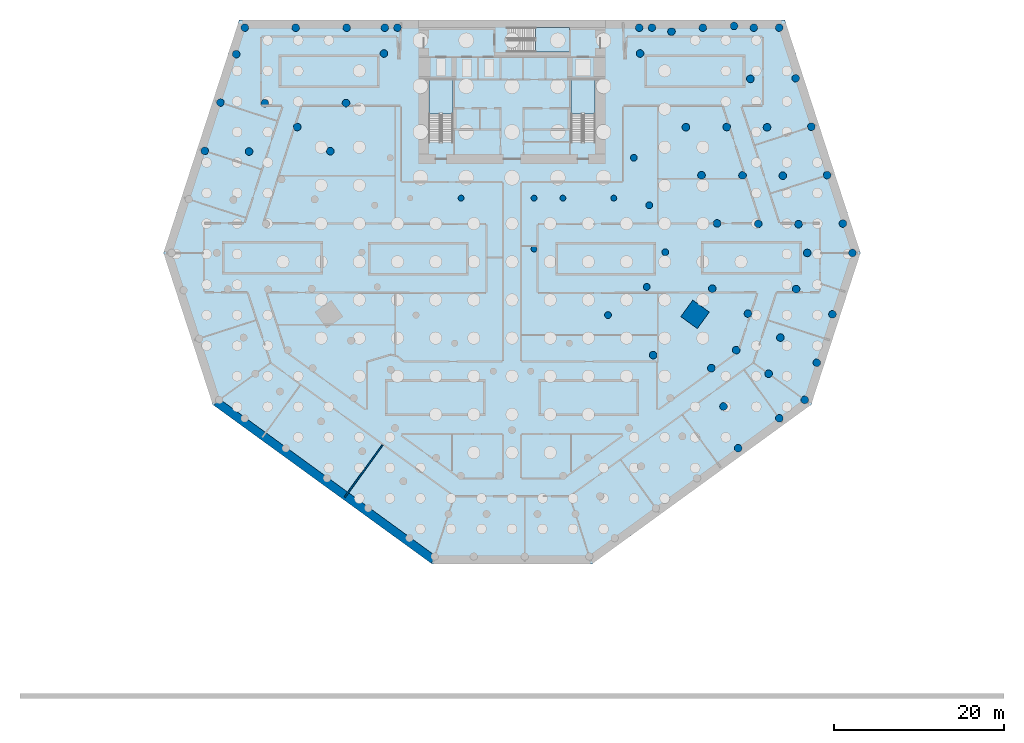
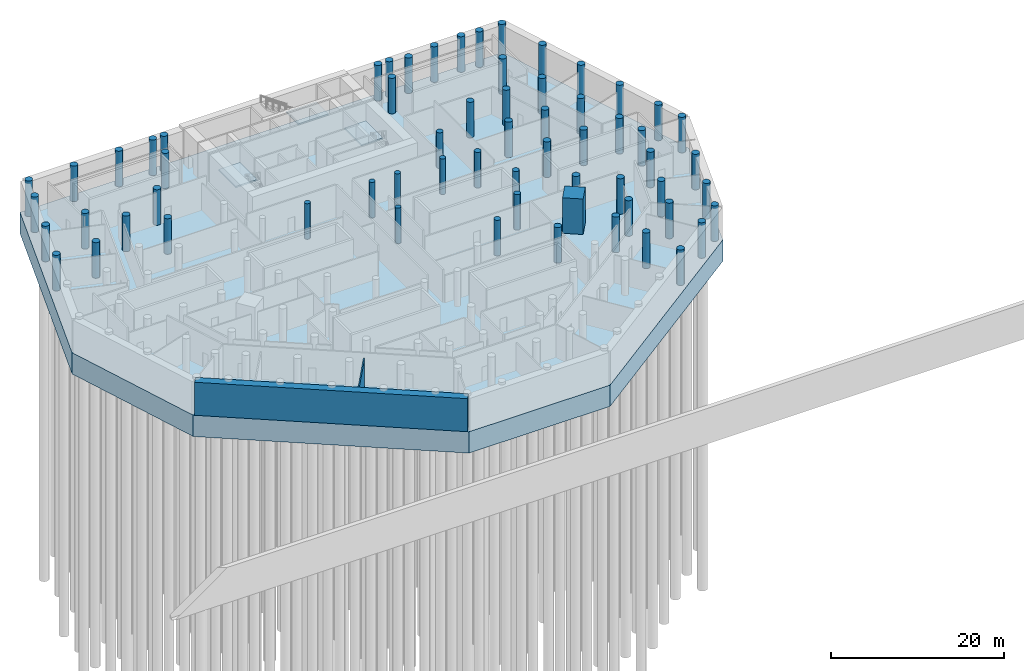
# One storey, part 2 of 12: 63 columns, 4 slabs, 2 walls, 3 elements without a shape of their own.
"""IFC4 building model written with IfcOpenShell, lengths in metres."""

from ifc_helpers import new_model, si_unit, direction, frame, frame_2d, origin, origin_2d, place, context, subcontext, project, spatial, polyline, rectangle, circle, outline, extrude, material, layer, layer_set, material_profile, profile_set, type_object, element, aggregate, save


model = new_model("IFC4")

# Units and contexts
model_context = context("Model", 3, precision=1e-05, world=origin(), true_north=direction((0.0, 1.0)))
body_context = subcontext(model_context, "Body", "Model", "MODEL_VIEW")
ifc_project = project(units=[si_unit("LENGTHUNIT", "METRE"), si_unit("AREAUNIT", "SQUARE_METRE"), si_unit("VOLUMEUNIT", "CUBIC_METRE"), si_unit("PLANEANGLEUNIT", "RADIAN"), si_unit("MASSUNIT", "GRAM", prefix="KILO")], contexts=[model_context])

# Site, building, storey
site_placement = place(None, origin())
site = spatial("IfcSite", under=ifc_project, at=site_placement, CompositionType="ELEMENT")
building_placement = place(site_placement, origin())
building = spatial("IfcBuilding", under=site, at=building_placement, Name="White Candle Pilgrim Tower", CompositionType="ELEMENT")
storey_placement = place(building_placement, frame((0.0, 0.0, -10.0)))
storey = spatial("IfcBuildingStorey", under=building, at=storey_placement, Name="B2", CompositionType="ELEMENT", Elevation=-10.0)

# Columns
ifc_material_1 = material(Name="Concrete C80/95", Category="concrete")
ifc_material_profile_1 = material_profile(ifc_material_1, circle(Radius=0.35009765625, at=origin_2d()), Name="RC-COL D700")
ifc_profile_set_1 = profile_set([ifc_material_profile_1], Name="Concrete C80/95")
column_type_1 = type_object("IfcColumnType", Name="Interior column RC-COL D700 C80/95", PredefinedType="COLUMN", material=ifc_profile_set_1)
for number, where, z_axis, x_axis, name in (
    (1, (64.0, 67.0, 0.0), (0.0, 0.0, 1.0), (1.0, 0.0, 0.0), "B2 column I02"),
    (2, (72.60009765625, 61.0, 0.0), (0.0, 0.0, 1.0), (1.0, 0.0, 0.0), "B2 column I03"),
    (3, (72.60009765625, 67.0, 0.0), (0.0, 0.0, 1.0), (1.0, 0.0, 0.0), "B2 column I04"),
    (4, (76.0, 67.0, 0.0), (0.0, 0.0, 1.0), (1.0, 0.0, 0.0), "B2 column I05"),
    (5, (82.0, 67.0, 0.0), (0.0, 0.0, 1.0), (1.0, 0.0, 0.0), "B2 column I06"),
):
    element("IfcColumn", number, at=place(storey_placement, frame(where, z_axis=z_axis, x_axis=x_axis)), inside=storey, type_object=column_type_1, Name=name, PredefinedType="COLUMN", context=body_context, shape_type="SweptSolid", body=[
        extrude(circle(Radius=0.35009765625, at=origin_2d()), origin(), (0.0, 0.0, 1.0), 5.0),
    ])
ifc_material_profile_2 = material_profile(ifc_material_1, rectangle(XDim=2.39990234375, YDim=2.39990234375, at=origin_2d()), Name="RC 2400x2400")
ifc_profile_set_2 = profile_set([ifc_material_profile_2], Name="Concrete C80/95")
column_type_2 = type_object("IfcColumnType", Name="Mega column RC 2400x2400 C80/95", PredefinedType="COLUMN", material=ifc_profile_set_2)
column_placement = place(storey_placement, frame((91.580078125, 53.300048828125, 0.0), z_axis=(0.0, 0.0, 1.0), x_axis=(0.809016994375, -0.587785252292, 0.0)))
element("IfcColumn", 6, at=column_placement, inside=storey, type_object=column_type_2, Name="B2 mega column T07", PredefinedType="COLUMN", context=body_context, shape_type="SweptSolid", body=[
    extrude(rectangle(XDim=2.39990234375, YDim=2.39990234375, at=origin_2d()), origin(), (0.0, 0.0, 1.0), 5.0),
])
ifc_material_profile_3 = material_profile(ifc_material_1, circle(Radius=0.449951171875, at=origin_2d()), Name="RC-COL D900")
ifc_profile_set_3 = profile_set([ifc_material_profile_3], Name="Concrete C80/95")
column_type_3 = type_object("IfcColumnType", Name="Perimeter column RC-COL D900 C80/95", PredefinedType="COLUMN", material=ifc_profile_set_3)
for number, where, z_axis, x_axis, name in (
    (7, (86.639892578125, 48.489990234375, 0.0), (0.0, 0.0, 1.0), (1.0, 0.0, 0.0), "B2 column T06"),
    (8, (93.610107421875, 56.330078125, 0.0), (0.0, 0.0, 1.0), (1.0, 0.0, 0.0), "B2 column T08"),
    (9, (94.179931640625, 64.02001953125, 0.0), (0.0, 0.0, 1.0), (1.0, 0.0, 0.0), "B2 column T09"),
    (10, (92.340087890625, 69.68994140625, 0.0), (0.0, 0.0, 1.0), (1.0, 0.0, 0.0), "B2 column T10"),
    (11, (90.5, 75.360107421875, 0.0), (0.0, 0.0, 1.0), (1.0, 0.0, 0.0), "B2 column T11"),
    (12, (85.10009765625, 84.050048828125, 0.0), (0.0, 0.0, 1.0), (1.0, 0.0, 0.0), "B2 column T12"),
    (13, (54.89990234375, 84.050048828125, 0.0), (0.0, 0.0, 1.0), (1.0, 0.0, 0.0), "B2 column T13"),
    (14, (50.429931640625, 78.199951171875, 0.0), (0.0, 0.0, 1.0), (1.0, 0.0, 0.0), "B2 column T14"),
    (15, (48.580078125, 72.530029296875, 0.0), (0.0, 0.0, 1.0), (1.0, 0.0, 0.0), "B2 column T15"),
    (16, (96.660888671875, 37.511962890625, 0.0), (0.0, 0.0, 1.0), (1.0, 0.0, 0.0), "B2 column A17"),
    (17, (101.514892578125, 41.0390625, 0.0), (0.0, 0.0, 1.0), (1.0, 0.0, 0.0), "B2 column A18"),
    (18, (104.5029296875, 43.2099609375, 0.0), (0.0, 0.0, 1.0), (1.0, 0.0, 0.0), "B2 column A19"),
    (19, (105.927978515625, 47.594970703125, 0.0), (0.0, 0.0, 1.0), (1.0, 0.0, 0.0), "B2 column A20"),
    (20, (107.781982421875, 53.301025390625, 0.0), (0.0, 0.0, 1.0), (1.0, 0.0, 0.0), "B2 column A21"),
    (21, (110.134033203125, 60.5390625, 0.0), (0.0, 0.0, 1.0), (1.0, 0.0, 0.0), "B2 column A22"),
    (22, (109.008056640625, 64.0048828125, 0.0), (0.0, 0.0, 1.0), (1.0, 0.0, 0.0), "B2 column A23"),
    (23, (107.153076171875, 69.7119140625, 0.0), (0.0, 0.0, 1.0), (1.0, 0.0, 0.0), "B2 column A24"),
    (24, (105.299072265625, 75.41796875, 0.0), (0.0, 0.0, 1.0), (1.0, 0.0, 0.0), "B2 column A25"),
    (25, (103.445068359375, 81.1240234375, 0.0), (0.0, 0.0, 1.0), (1.0, 0.0, 0.0), "B2 column A26"),
    (26, (101.50390625, 87.10009765625, 0.0), (0.0, 0.0, 1.0), (1.0, 0.0, 0.0), "B2 column A27"),
    (27, (98.5, 87.10009765625, 0.0), (0.0, 0.0, 1.0), (1.0, 0.0, 0.0), "B2 column A28"),
    (28, (92.5, 87.10009765625, 0.0), (0.0, 0.0, 1.0), (1.0, 0.0, 0.0), "B2 column A29"),
    (29, (86.5, 87.10009765625, 0.0), (0.0, 0.0, 1.0), (1.0, 0.0, 0.0), "B2 column A30"),
    (30, (56.5, 87.10009765625, 0.0), (0.0, 0.0, 1.0), (1.0, 0.0, 0.0), "B2 column A31"),
    (31, (50.5, 87.10009765625, 0.0), (0.0, 0.0, 1.0), (1.0, 0.0, 0.0), "B2 column A32"),
    (32, (44.5, 87.10009765625, 0.0), (0.0, 0.0, 1.0), (1.0, 0.0, 0.0), "B2 column A33"),
    (33, (38.49609375, 87.10009765625, 0.0), (0.0, 0.0, 1.0), (1.0, 0.0, 0.0), "B2 column A34"),
    (34, (37.48193359375, 83.97802734375, 0.0), (0.0, 0.0, 1.0), (1.0, 0.0, 0.0), "B2 column A35"),
    (35, (35.6279296875, 78.27099609375, 0.0), (0.0, 0.0, 1.0), (1.0, 0.0, 0.0), "B2 column A36"),
    (36, (33.77392578125, 72.56494140625, 0.0), (0.0, 0.0, 1.0), (1.0, 0.0, 0.0), "B2 column A37"),
    (37, (94.93603515625, 42.43896484375, 0.0), (0.0, 0.0, 1.0), (1.0, 0.0, 0.0), "B2 column B16"),
    (38, (100.25, 46.300048828125, 0.0), (0.0, 0.0, 1.0), (1.0, 0.0, 0.0), "B2 column B17"),
    (39, (101.635986328125, 50.56591796875, 0.0), (0.0, 0.0, 1.0), (1.0, 0.0, 0.0), "B2 column B18"),
    (40, (103.489990234375, 56.27294921875, 0.0), (0.0, 0.0, 1.0), (1.0, 0.0, 0.0), "B2 column B19"),
    (41, (104.800048828125, 60.5390625, 0.0), (0.0, 0.0, 1.0), (1.0, 0.0, 0.0), "B2 column B20"),
    (42, (103.77392578125, 63.93310546875, 0.0), (0.0, 0.0, 1.0), (1.0, 0.0, 0.0), "B2 column B21"),
    (43, (101.9189453125, 69.639892578125, 0.0), (0.0, 0.0, 1.0), (1.0, 0.0, 0.0), "B2 column B22"),
    (44, (100.06494140625, 75.345947265625, 0.0), (0.0, 0.0, 1.0), (1.0, 0.0, 0.0), "B2 column B23"),
    (45, (98.10107421875, 81.052001953125, 0.0), (0.0, 0.0, 1.0), (1.0, 0.0, 0.0), "B2 column B24"),
    (46, (96.180908203125, 87.300048828125, 0.0), (0.0, 0.0, 1.0), (1.0, 0.0, 0.0), "B2 column B25"),
    (47, (40.862060546875, 78.198974609375, 0.0), (0.0, 0.0, 1.0), (1.0, 0.0, 0.0), "B2 column B33"),
    (48, (39.008056640625, 72.492919921875, 0.0), (0.0, 0.0, 1.0), (1.0, 0.0, 0.0), "B2 column B34"),
    (49, (93.50390625, 46.9609375, 0.0), (0.0, 0.0, 1.0), (1.0, 0.0, 0.0), "B2 column C13"),
    (50, (96.422119140625, 49.0810546875, 0.0), (0.0, 0.0, 1.0), (1.0, 0.0, 0.0), "B2 column C14"),
    (51, (97.820068359375, 53.384033203125, 0.0), (0.0, 0.0, 1.0), (1.0, 0.0, 0.0), "B2 column C15"),
    (52, (99.030029296875, 63.968994140625, 0.0), (0.0, 0.0, 1.0), (1.0, 0.0, 0.0), "B2 column C16"),
    (53, (97.176025390625, 69.676025390625, 0.0), (0.0, 0.0, 1.0), (1.0, 0.0, 0.0), "B2 column C17"),
    (54, (95.322021484375, 75.382080078125, 0.0), (0.0, 0.0, 1.0), (1.0, 0.0, 0.0), "B2 column C18"),
    (55, (88.800048828125, 86.631103515625, 0.0), (0.0, 0.0, 1.0), (1.0, 0.0, 0.0), "B2 column C19"),
    (56, (85.0, 87.10009765625, 0.0), (0.0, 0.0, 1.0), (1.0, 0.0, 0.0), "B2 column C20"),
    (57, (55.0, 87.10009765625, 0.0), (0.0, 0.0, 1.0), (1.0, 0.0, 0.0), "B2 column C21"),
    (58, (44.677978515625, 75.382080078125, 0.0), (0.0, 0.0, 1.0), (1.0, 0.0, 0.0), "B2 column C23"),
):
    element("IfcColumn", number, at=place(storey_placement, frame(where, z_axis=z_axis, x_axis=x_axis)), inside=storey, type_object=column_type_3, Name=name, PredefinedType="COLUMN", context=body_context, shape_type="SweptSolid", body=[
        extrude(circle(Radius=0.449951171875, at=origin_2d()), origin(), (0.0, 0.0, 1.0), 5.0),
    ])
ifc_material_profile_4 = material_profile(ifc_material_1, circle(Radius=0.39990234375, at=origin_2d()), Name="RC-COL D800")
ifc_profile_set_4 = profile_set([ifc_material_profile_4], Name="Concrete C80/95")
column_type_4 = type_object("IfcColumnType", Name="Ring column RC-COL D800 C80/95", PredefinedType="COLUMN", material=ifc_profile_set_4)
for number, where, z_axis, x_axis, name in (
    (59, (81.320068359375, 53.2099609375, 0.0), (0.0, 0.0, 1.0), (1.0, 0.0, 0.0), "B2 column R08"),
    (60, (85.8798828125, 56.530029296875, 0.0), (0.0, 0.0, 1.0), (1.0, 0.0, 0.0), "B2 column R09"),
    (61, (88.070068359375, 60.6298828125, 0.0), (0.0, 0.0, 1.0), (1.0, 0.0, 0.0), "B2 column R10"),
    (62, (86.179931640625, 66.159912109375, 0.0), (0.0, 0.0, 1.0), (1.0, 0.0, 0.0), "B2 column R11"),
    (63, (84.360107421875, 71.760009765625, 0.0), (0.0, 0.0, 1.0), (1.0, 0.0, 0.0), "B2 column R12"),
):
    element("IfcColumn", number, at=place(storey_placement, frame(where, z_axis=z_axis, x_axis=x_axis)), inside=storey, type_object=column_type_4, Name=name, PredefinedType="COLUMN", context=body_context, shape_type="SweptSolid", body=[
        extrude(circle(Radius=0.39990234375, at=origin_2d()), origin(), (0.0, 0.0, 1.0), 5.0),
    ])

# Slab
ifc_material_2 = material(Name="Concrete C50/60", Category="concrete")
ifc_layer_1 = layer(ifc_material_2, 3.0)
ifc_layer_set_1 = layer_set([ifc_layer_1], Name="Raft slab 3000")
slab_type_1 = type_object("IfcSlabType", Name="Raft slab 3000", PredefinedType="BASESLAB", material=ifc_layer_set_1)
slab_1_placement = place(storey_placement, frame((0.0, 0.0, -3.0)))
element("IfcSlab", 64, at=slab_1_placement, inside=storey, type_object=slab_type_1, Name="Piled raft", PredefinedType="BASESLAB", context=body_context, shape_type="SweptSolid", body=[
    extrude(outline(polyline([(60.596923828125, 23.861083984375), (79.403076171875, 23.861083984375), (105.268798828125, 42.653564453125), (111.080078125, 60.539306640625), (102.157470703125, 88.0), (37.842529296875, 88.0), (28.919921875, 60.539306640625), (34.731201171875, 42.653564453125), (60.596923828125, 23.861083984375)])), origin(), (0.0, 0.0, 1.0), 3.0),
])

# Stair, slab
ifc_material_3 = material(Name="Concrete C40/50", Category="concrete")
stair_type_1 = type_object("IfcStairType", Name="Exit stair 1 flight width 1350 mm", PredefinedType="HALF_TURN_STAIR", material=ifc_material_3)
stair_1_placement = place(storey_placement, origin())
stair_1 = element("IfcStair", 65, at=stair_1_placement, inside=storey, type_object=stair_type_1, Name="B2 stair 1", PredefinedType="NOTDEFINED")
ifc_layer_2 = layer(ifc_material_3, 0.199951171875)
ifc_layer_set_2 = layer_set([ifc_layer_2], Name="Stair landing Concrete C40/50")
slab_type_2 = type_object("IfcSlabType", Name="Stair landing Concrete C40/50", PredefinedType="LANDING", material=ifc_layer_set_2)
slab_2_placement = place(storey_placement, frame((0.0, 0.0, 2.300048828125)))
slab_2 = element("IfcSlab", 66, at=slab_2_placement, type_object=slab_type_2, Name="ST1 landing 1", PredefinedType="LANDING", context=body_context, shape_type="SweptSolid", body=[
    extrude(outline(polyline([(63.052001953125, 76.927978515625), (60.197998046875, 76.927978515625), (60.197998046875, 80.902099609375), (63.052001953125, 80.902099609375), (63.052001953125, 76.927978515625)])), origin(), (0.0, 0.0, 1.0), 0.199951171875),
])
aggregate(stair_1, [slab_2])

stair_type_2 = type_object("IfcStairType", Name="Exit stair 2 flight width 1350 mm", PredefinedType="HALF_TURN_STAIR", material=ifc_material_3)
stair_2_placement = place(storey_placement, origin())
stair_2 = element("IfcStair", 67, at=stair_2_placement, inside=storey, type_object=stair_type_2, Name="B2 stair 2", PredefinedType="NOTDEFINED")
slab_3_placement = place(storey_placement, frame((0.0, 0.0, 2.300048828125)))
slab_3 = element("IfcSlab", 68, at=slab_3_placement, type_object=slab_type_2, Name="ST2 landing 1", PredefinedType="LANDING", context=body_context, shape_type="SweptSolid", body=[
    extrude(outline(polyline([(79.802001953125, 76.927978515625), (76.947998046875, 76.927978515625), (76.947998046875, 80.902099609375), (79.802001953125, 80.902099609375), (79.802001953125, 76.927978515625)])), origin(), (0.0, 0.0, 1.0), 0.199951171875),
])
aggregate(stair_2, [slab_3])

stair_type_3 = type_object("IfcStairType", Name="Exit stair 3 flight width 1350 mm", PredefinedType="HALF_TURN_STAIR", material=ifc_material_3)
stair_3_placement = place(storey_placement, origin())
stair_3 = element("IfcStair", 69, at=stair_3_placement, inside=storey, type_object=stair_type_3, Name="B2 stair 3", PredefinedType="NOTDEFINED")
slab_4_placement = place(storey_placement, frame((0.0, 0.0, 2.300048828125)))
slab_4 = element("IfcSlab", 70, at=slab_4_placement, type_object=slab_type_2, Name="ST3 landing 1", PredefinedType="LANDING", context=body_context, shape_type="SweptSolid", body=[
    extrude(outline(polyline([(72.778076171875, 84.248046875), (72.778076171875, 87.10205078125), (76.751953125, 87.10205078125), (76.751953125, 84.248046875), (72.778076171875, 84.248046875)])), origin(), (0.0, 0.0, 1.0), 0.199951171875),
])
aggregate(stair_3, [slab_4])

# Walls
ifc_layer_3 = layer(ifc_material_3, 1.0)
ifc_layer_set_3 = layer_set([ifc_layer_3], Name="Diaphragm wall 1000")
wall_type_1 = type_object("IfcWallType", Name="Diaphragm wall 1000", PredefinedType="SOLIDWALL", material=ifc_layer_set_3)
wall_1_placement = place(storey_placement, frame((60.759521484375, 24.361083984375, 0.0), z_axis=(0.0, 0.0, 1.0), x_axis=(-0.809018883304, 0.587782652396, 0.0)))
element("IfcWall", 71, at=wall_1_placement, inside=storey, type_object=wall_type_1, Name="Diaphragm wall B2-04", PredefinedType="SOLIDWALL", context=body_context, shape_type="SweptSolid", body=[
    extrude(rectangle(XDim=31.64697265625, YDim=1.0, at=frame_2d((15.823486328125, 0.0))), origin(), (0.0, 0.0, 1.0), 4.64990234375),
])
ifc_material_4 = material(Name="Gypsum board on steel studs", Category="steel")
ifc_layer_4 = layer(ifc_material_4, 0.14990234375)
ifc_layer_set_4 = layer_set([ifc_layer_4], Name="Partition 150 mm EI 60")
wall_type_2 = type_object("IfcWallType", Name="Partition 150 mm EI 60", PredefinedType="PARTITIONING", material=ifc_layer_set_4)
wall_2_placement = place(storey_placement, frame((50.279296875, 31.7529296875, 0.0), z_axis=(0.0, 0.0, 1.0), x_axis=(0.587779028788, 0.809021515979, 0.0)))
element("IfcWall", 72, at=wall_2_placement, inside=storey, type_object=wall_type_2, Name="WL-B2-P070", PredefinedType="PARTITIONING", context=body_context, shape_type="SweptSolid", body=[
    extrude(rectangle(XDim=7.579833984375, YDim=0.14990234375, at=frame_2d((3.7900390625, 0.0))), origin(), (0.0, 0.0, 1.0), 3.949951171875),
])

save(model, "model.ifc")
